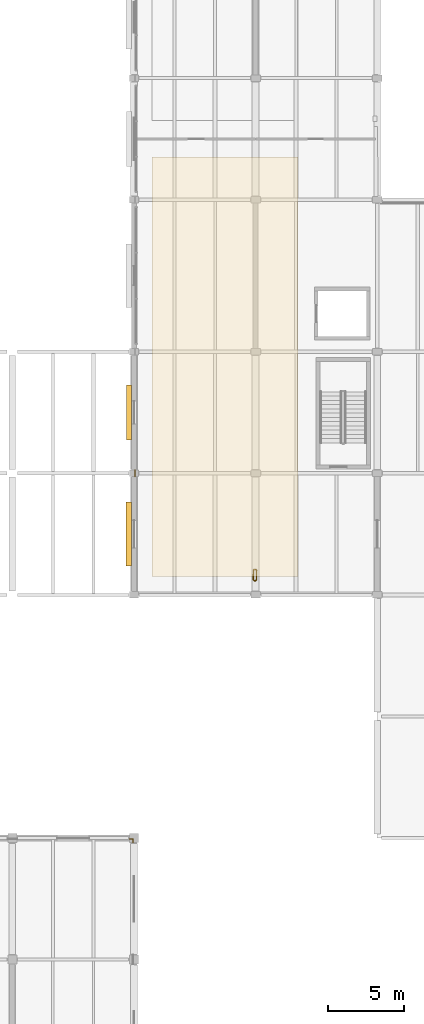
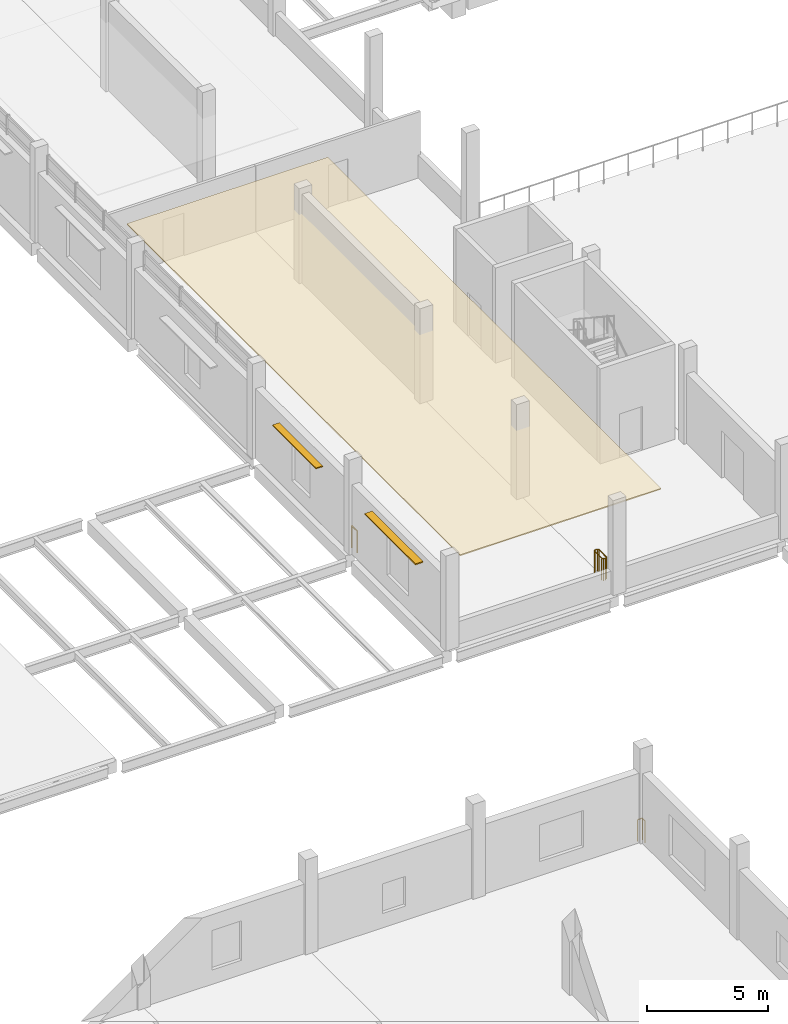
# One storey, part 40 of 52: 3 railings, 2 shading devices, 1 covering.
"""IFC4 building model written with IfcOpenShell, lengths in metres."""

from ifc_helpers import new_model, si_unit, direction, frame, origin, origin_2d, place, context, subcontext, project, spatial, polyline, rectangle, circle, outline, extrude, material, layer, layer_set, type_object, element, save


model = new_model("IFC4")

# Units and contexts
model_context = context("Model", 3, precision=1e-05, world=origin(), true_north=direction((0.0, 1.0)))
body_context = subcontext(model_context, "Body", "Model", "MODEL_VIEW")
ifc_project = project(units=[si_unit("LENGTHUNIT", "METRE"), si_unit("AREAUNIT", "SQUARE_METRE"), si_unit("VOLUMEUNIT", "CUBIC_METRE"), si_unit("PLANEANGLEUNIT", "RADIAN"), si_unit("MASSUNIT", "GRAM", prefix="KILO")], contexts=[model_context])

# Site, building, storey
site_placement = place(None, origin())
site = spatial("IfcSite", under=ifc_project, at=site_placement, CompositionType="ELEMENT")
building_placement = place(site_placement, origin())
building = spatial("IfcBuilding", under=site, at=building_placement, Name="Pecanmere Concourse Central Library", CompositionType="ELEMENT")
storey_placement = place(building_placement, frame((0.0, 0.0, 10.5)))
storey = spatial("IfcBuildingStorey", under=building, at=storey_placement, Name="L03", CompositionType="ELEMENT", Elevation=10.5)

# Covering
ifc_material_1 = material(Name="Solid white oak architectural joinery")
ifc_layer = layer(ifc_material_1, 0.054931640625, Name="COV_CEIL_OAK_COFF")
ifc_layer_set = layer_set([ifc_layer], Name="Solid white oak architectural joinery")
covering_type = type_object("IfcCoveringType", Name="COV_CEIL_OAK_COFF", PredefinedType="CEILING", material=ifc_layer_set)
covering_placement = place(storey_placement, frame((0.0, 0.0, 3.429931640625)))
element("IfcCovering", 1, at=covering_placement, inside=storey, type_object=covering_type, Name="Acoustic Coffered Ceiling L03-012", PredefinedType="CEILING", context=body_context, shape_type="SweptSolid", body=[
    extrude(outline(polyline([(49.199951171875, 49.199951171875), (58.800048828125, 49.199951171875), (58.800048828125, 76.800048828125), (49.199951171875, 76.800048828125), (49.199951171875, 49.199951171875)])), origin(), (0.0, 0.0, 1.0), 0.05517578125),
])

# Railings
ifc_material_2 = material(Name="Architectural anodized bronze")
railing_type = type_object("IfcRailingType", Name="RAIL_ATRIUM_BAL", PredefinedType="BALUSTRADE", material=ifc_material_2)
railing_1_placement = place(storey_placement, frame((48.0703125, 55.784912109375, 0.0)))
element("IfcRailing", 2, at=railing_1_placement, inside=storey, type_object=railing_type, Name="Deck Edge Protective Balustrade L03-129", PredefinedType="BALUSTRADE", context=body_context, shape_type="SweptSolid", body=[
    extrude(circle(Radius=0.02392578125, at=origin_2d()), frame((0.0, 0.0, 1.09619140625), z_axis=(0.0, 1.0, 0.0), x_axis=(-1.0, 0.0, 0.0)), (0.0, 0.0, 1.0), 0.43017578125),
    extrude(circle(Radius=0.02099609375, at=origin_2d()), origin(), (0.0, 0.0, 1.0), 1.072021484375),
    extrude(circle(Radius=0.02099609375, at=origin_2d()), frame((0.0, 0.43017578125, 0.0)), (0.0, 0.0, 1.0), 1.072021484375),
])
railing_2_placement = place(storey_placement, frame((55.850341796875, 49.003173828125, 0.0)))
element("IfcRailing", 3, at=railing_2_placement, inside=storey, type_object=railing_type, Name="Deck Edge Protective Balustrade L03-136", PredefinedType="BALUSTRADE", context=body_context, shape_type="SweptSolid", body=[
    extrude(circle(Radius=0.02392578125, at=origin_2d()), frame((0.0, 0.0, 1.09619140625), z_axis=(0.591491231767, -0.806311430369, 0.0), x_axis=(0.806311430369, 0.591491231767, 0.0)), (0.0, 0.0, 1.0), 0.0830078125),
    extrude(circle(Radius=0.02392578125, at=origin_2d()), frame((0.049072265625, -0.06689453125, 1.09619140625), z_axis=(0.998195860289, -0.060041856258, 0.0), x_axis=(0.060041856258, 0.998195860289, 0.0)), (0.0, 0.0, 1.0), 0.09765625),
    extrude(circle(Radius=0.02392578125, at=origin_2d()), frame((0.146484375, -0.07275390625, 1.09619140625), z_axis=(0.806311430369, 0.591491231767, 0.0), x_axis=(-0.591491231767, 0.806311430369, 0.0)), (0.0, 0.0, 1.0), 0.0830078125),
    extrude(circle(Radius=0.02392578125, at=origin_2d()), frame((0.21337890625, -0.023681640625, 1.09619140625), z_axis=(0.009489489668, 0.999954973779, 0.0), x_axis=(-0.999954973779, 0.009489489668, 0.0)), (0.0, 0.0, 1.0), 0.617431640625),
    extrude(circle(Radius=0.02392578125, at=origin_2d()), frame((0.21923828125, 0.59375, 1.09619140625), z_axis=(-0.591491231767, 0.806311430369, 0.0), x_axis=(-0.806311430369, -0.591491231767, 0.0)), (0.0, 0.0, 1.0), 0.0830078125),
    extrude(circle(Radius=0.02392578125, at=origin_2d()), frame((0.170166015625, 0.66064453125, 1.09619140625), z_axis=(-0.998195860289, 0.060041856258, 0.0), x_axis=(-0.060041856258, -0.998195860289, 0.0)), (0.0, 0.0, 1.0), 0.09765625),
    extrude(circle(Radius=0.02392578125, at=origin_2d()), frame((0.07275390625, 0.66650390625, 1.09619140625), z_axis=(-0.806311430369, -0.591491231767, 0.0), x_axis=(0.591491231767, -0.806311430369, 0.0)), (0.0, 0.0, 1.0), 0.0830078125),
    extrude(circle(Radius=0.02392578125, at=origin_2d()), frame((0.005859375, 0.617431640625, 1.09619140625), z_axis=(-0.009489489668, -0.999954973779, 0.0), x_axis=(0.999954973779, -0.009489489668, 0.0)), (0.0, 0.0, 1.0), 0.617431640625),
    extrude(circle(Radius=0.02099609375, at=origin_2d()), origin(), (0.0, 0.0, 1.0), 1.072021484375),
    extrude(circle(Radius=0.02099609375, at=origin_2d()), frame((0.049072265625, -0.06689453125, 0.0)), (0.0, 0.0, 1.0), 1.072021484375),
    extrude(circle(Radius=0.02099609375, at=origin_2d()), frame((0.146484375, -0.07275390625, 0.0)), (0.0, 0.0, 1.0), 1.072021484375),
    extrude(circle(Radius=0.02099609375, at=origin_2d()), frame((0.21337890625, -0.023681640625, 0.0)), (0.0, 0.0, 1.0), 1.072021484375),
    extrude(circle(Radius=0.02099609375, at=origin_2d()), frame((0.21923828125, 0.59375, 0.0)), (0.0, 0.0, 1.0), 1.072021484375),
    extrude(circle(Radius=0.02099609375, at=origin_2d()), frame((0.170166015625, 0.66064453125, 0.0)), (0.0, 0.0, 1.0), 1.072021484375),
    extrude(circle(Radius=0.02099609375, at=origin_2d()), frame((0.07275390625, 0.66650390625, 0.0)), (0.0, 0.0, 1.0), 1.072021484375),
    extrude(circle(Radius=0.02099609375, at=origin_2d()), frame((0.005859375, 0.617431640625, 0.0)), (0.0, 0.0, 1.0), 1.072021484375),
])
railing_3_placement = place(storey_placement, frame((47.705078125, 31.929931640625, 0.0)))
element("IfcRailing", 4, at=railing_3_placement, inside=storey, type_object=railing_type, Name="Deck Edge Protective Balustrade L03-144", PredefinedType="BALUSTRADE", context=body_context, shape_type="SweptSolid", body=[
    extrude(circle(Radius=0.02392578125, at=origin_2d()), frame((0.0, 0.0, 1.09619140625), z_axis=(1.0, 0.0, 0.0), x_axis=(0.0, 1.0, 0.0)), (0.0, 0.0, 1.0), 0.224609375),
    extrude(circle(Radius=0.02392578125, at=origin_2d()), frame((0.224609375, 0.0, 1.09619140625), z_axis=(0.0, -1.0, 0.0), x_axis=(1.0, 0.0, 0.0)), (0.0, 0.0, 1.0), 0.224853515625),
    extrude(circle(Radius=0.02099609375, at=origin_2d()), origin(), (0.0, 0.0, 1.0), 1.072021484375),
    extrude(circle(Radius=0.02099609375, at=origin_2d()), frame((0.224609375, 0.0, 0.0)), (0.0, 0.0, 1.0), 1.072021484375),
    extrude(circle(Radius=0.02099609375, at=origin_2d()), frame((0.224609375, -0.224853515625, 0.0)), (0.0, 0.0, 1.0), 1.072021484375),
])

# Shading devices
ifc_material_3 = material(Name="Architectural anodized bronze")
shading_device_type_1 = type_object("IfcShadingDeviceType", Name="SHD_BRISE_1", PredefinedType="AWNING", material=ifc_material_3)
shading_device_1_placement = place(storey_placement, frame((47.64501953125, 52.0, 3.14990234375), z_axis=(0.0, 0.0, 1.0), x_axis=(0.0, -1.0, 0.0)))
element("IfcShadingDevice", 5, at=shading_device_1_placement, inside=storey, type_object=shading_device_type_1, Name="Bronze Solar Brise-Soleil L03-052", PredefinedType="AWNING", context=body_context, shape_type="SweptSolid", body=[
    extrude(rectangle(XDim=4.199951171875, YDim=0.360107421875, at=origin_2d()), origin(), (0.0, 0.0, 1.0), 0.06005859375),
])
ifc_material_4 = material(Name="Architectural anodized bronze")
shading_device_type_2 = type_object("IfcShadingDeviceType", Name="SHD_BRISE_2", PredefinedType="AWNING", material=ifc_material_4)
shading_device_2_placement = place(storey_placement, frame((47.6650390625, 60.0, 2.95263671875), z_axis=(0.0, 0.0, 1.0), x_axis=(0.0, -1.0, 0.0)))
element("IfcShadingDevice", 6, at=shading_device_2_placement, inside=storey, type_object=shading_device_type_2, Name="Bronze Solar Brise-Soleil L03-053", PredefinedType="AWNING", context=body_context, shape_type="SweptSolid", body=[
    extrude(rectangle(XDim=3.60009765625, YDim=0.320068359375, at=origin_2d()), origin(), (0.0, 0.0, 1.0), 0.054931640625),
])

save(model, "model.ifc")
